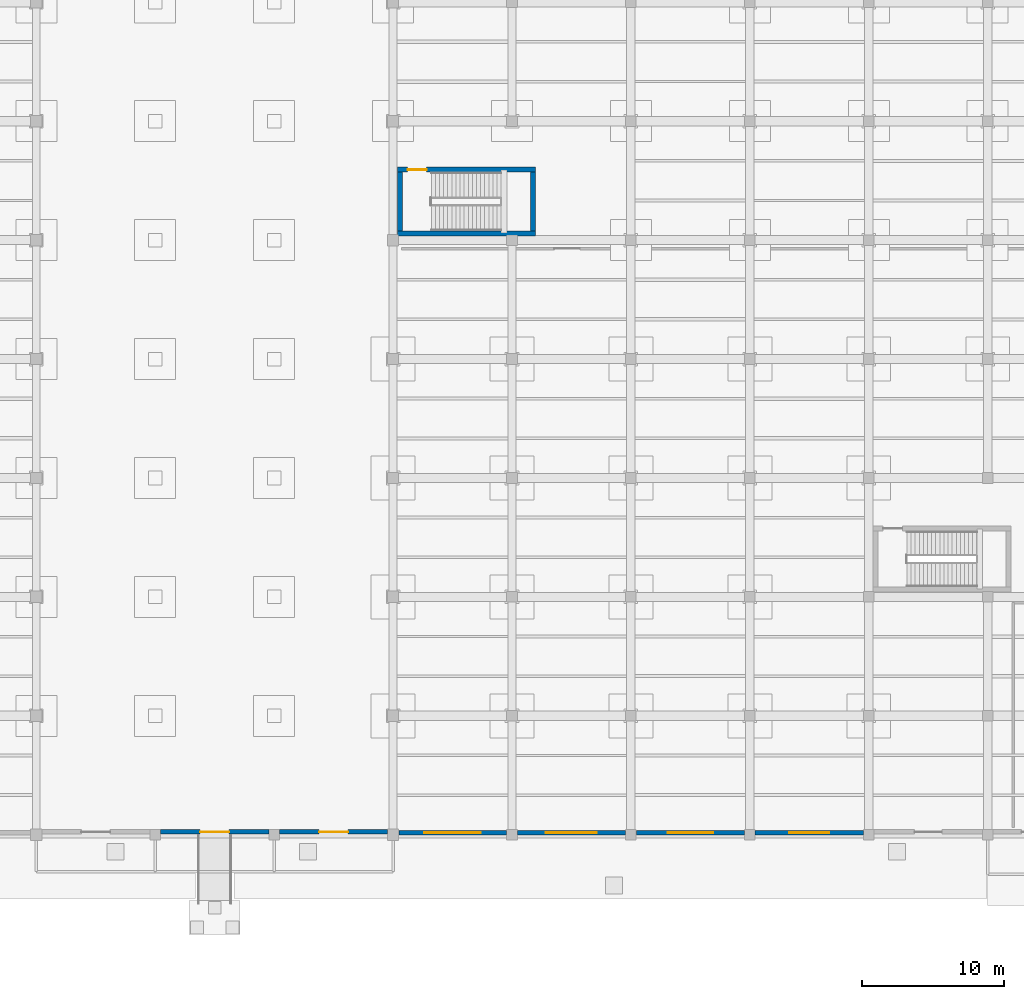
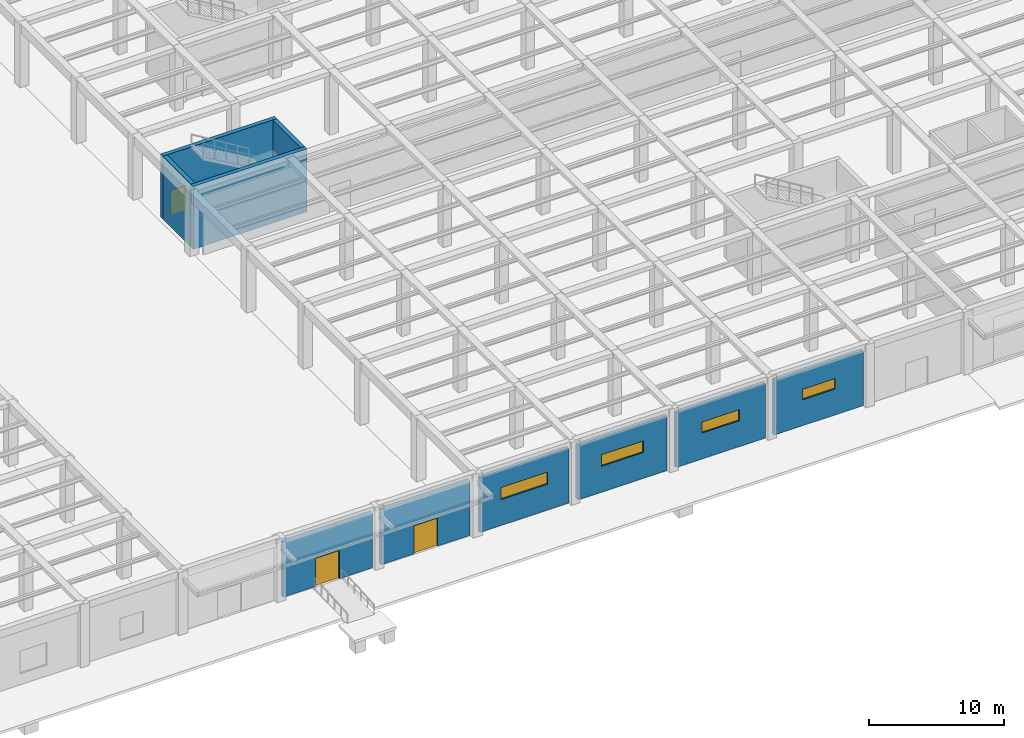
# One storey, part 24 of 43: 10 walls, 4 windows, 3 doors, 7 openings.
"""IFC4 building model written with IfcOpenShell, lengths in metres."""

import ifcopenshell
import ifcopenshell.guid

model = None  # the IFC model being written
_history = None  # IfcOwnerHistory: only IFC2X3 demands one
_inside = {}  # id of a spatial element -> (the spatial element, [elements in it])
_under = {}  # id of a project, library or spatial element -> (it, [spatial elements below it])
_declared = {}  # id of a project -> (the project, [libraries it declares])
_typed = {}  # id of a type object -> (the type object, [elements of that type])
_made_of = {}  # id of a material, layer set ... -> (it, [elements and type objects made of it])


def new_model(schema):
    """Start an empty IFC model of exactly this schema.

    Asked for "IFC4X3", IfcOpenShell would pick the latest addendum, in which some entities
    have other attributes; the version numbers below select the first issue.
    IFC2X3 requires an IfcOwnerHistory on every rooted entity: one is made here for all.
    """
    global model, _history
    if schema == "IFC4X3":
        model = ifcopenshell.file(schema_version=(4, 3, 0, 0))
    else:
        model = ifcopenshell.file(schema=schema)
    _inside.clear()
    _under.clear()
    _declared.clear()
    _typed.clear()
    _made_of.clear()
    _history = None
    if model.schema == "IFC2X3":
        org = make("IfcOrganization", Name="unknown")
        user = make(
            "IfcPersonAndOrganization",
            ThePerson=make("IfcPerson", FamilyName="unknown"),
            TheOrganization=org,
        )
        app = make(
            "IfcApplication",
            ApplicationDeveloper=org,
            Version="unknown",
            ApplicationFullName="unknown",
            ApplicationIdentifier="unknown",
        )
        _history = make(
            "IfcOwnerHistory",
            OwningUser=user,
            OwningApplication=app,
            ChangeAction="ADDED",
            CreationDate=0,
        )
    return model


def make(cls, **values):
    """One entity of the class cls with the attributes given. An attribute that is None is left unset."""
    return model.create_entity(
        cls, **{name: value for name, value in values.items() if value is not None}
    )


def rooted(cls, **values):
    """An entity with a GlobalId (a new one), such as an element, a storey or a relation."""
    return make(cls, GlobalId=ifcopenshell.guid.new(), OwnerHistory=_history, **values)


def si_unit(unit_type, name, prefix=None):
    """IfcSIUnit, for example si_unit("LENGTHUNIT", "METRE", prefix="MILLI")."""
    return make("IfcSIUnit", UnitType=unit_type, Prefix=prefix, Name=name)


def assignment(units):
    """IfcUnitAssignment: the units of a project."""
    return None if units is None else make("IfcUnitAssignment", Units=units)


def point(xyz):
    """IfcCartesianPoint."""
    return None if xyz is None else make("IfcCartesianPoint", Coordinates=xyz)


def direction(xyz):
    """IfcDirection."""
    return None if xyz is None else make("IfcDirection", DirectionRatios=xyz)


def frame(location, z_axis=None, x_axis=None):
    """IfcAxis2Placement3D, a coordinate frame: its origin and axes. An axis left out is left unset."""
    return make(
        "IfcAxis2Placement3D",
        Location=point(location),
        Axis=direction(z_axis),
        RefDirection=direction(x_axis),
    )


def frame_2d(location, x_axis=None):
    """IfcAxis2Placement2D, a coordinate frame in the plane: its origin and x axis."""
    return make(
        "IfcAxis2Placement2D", Location=point(location), RefDirection=direction(x_axis)
    )


def origin():
    """The frame at (0, 0, 0) with its axes left unset."""
    return frame((0.0, 0.0, 0.0))


def place(relative_to, where):
    """IfcLocalPlacement: puts the frame where relative to a parent placement (None: the world)."""
    return make(
        "IfcLocalPlacement", PlacementRelTo=relative_to, RelativePlacement=where
    )


def context(
    kind, dimensions, precision=None, world=None, true_north=None, identifier=None
):
    """IfcGeometricRepresentationContext, for example the 3D "Model" context."""
    return make(
        "IfcGeometricRepresentationContext",
        ContextIdentifier=identifier,
        ContextType=kind,
        CoordinateSpaceDimension=dimensions,
        Precision=precision,
        WorldCoordinateSystem=world,
        TrueNorth=true_north,
    )


def subcontext(parent, identifier, kind, view, scale=None):
    """IfcGeometricRepresentationSubContext, for example "Body" below "Model"."""
    return make(
        "IfcGeometricRepresentationSubContext",
        ContextIdentifier=identifier,
        ContextType=kind,
        ParentContext=parent,
        TargetScale=scale,
        TargetView=view,
    )


def project(units=None, contexts=None):
    """IfcProject with its units and contexts."""
    return rooted(
        "IfcProject",
        Name="project",
        RepresentationContexts=contexts,
        UnitsInContext=assignment(units),
    )


def spatial(cls, under=None, at=None, **own):
    """A site, building, storey or space (cls), placed at a placement, below another one or the project."""
    s = rooted(cls, ObjectPlacement=at, **own)
    if under is not None:
        _under.setdefault(under.id(), (under, []))[1].append(s)
    return s


def profile(cls, at=None, kind="AREA", **sizes):
    """A parametric profile (cls). Its sizes go by their IFC names, for example OverallWidth=200.0."""
    return make(cls, ProfileType=kind, Position=at, **sizes)


def rectangle(**sizes):
    """IfcRectangleProfileDef."""
    return profile("IfcRectangleProfileDef", **sizes)


def extrude(swept, where, along, depth):
    """IfcExtrudedAreaSolid: the profile swept, set in the frame where, extruded along a direction by depth."""
    return make(
        "IfcExtrudedAreaSolid",
        SweptArea=swept,
        Position=where,
        ExtrudedDirection=direction(along),
        Depth=depth,
    )


def shape(context_of_items, identifier, shape_type, items):
    """IfcShapeRepresentation: the items that make up one representation, for example the "Body"."""
    return make(
        "IfcShapeRepresentation",
        ContextOfItems=context_of_items,
        RepresentationIdentifier=identifier,
        RepresentationType=shape_type,
        Items=items,
    )


def material(Name=None, Category=None):
    """IfcMaterial."""
    return make("IfcMaterial", Name=Name, Category=Category)


def layer(
    of_material, thickness, ventilated=None, Name=None, Category=None, Priority=None
):
    """IfcMaterialLayer: one layer of a wall or slab, of a material (None: an air gap)."""
    return make(
        "IfcMaterialLayer",
        Material=of_material,
        LayerThickness=thickness,
        IsVentilated=ventilated,
        Name=Name,
        Category=Category,
        Priority=Priority,
    )


def layer_set(layers, Name=None):
    """IfcMaterialLayerSet."""
    return make("IfcMaterialLayerSet", MaterialLayers=layers, LayerSetName=Name)


def made_of(thing, what):
    """Note that an element or type object is made of a material, layer set ...; save() writes the relation."""
    if what is not None:
        _made_of.setdefault(what.id(), (what, []))[1].append(thing)
    return thing


def type_object(cls, material=None, **own):
    """A type object (cls), such as IfcWallType, which elements share."""
    return made_of(rooted(cls, **own), material)


def element(
    cls,
    number,
    at=None,
    inside=None,
    cuts=None,
    type_object=None,
    material=None,
    context=None,
    identifier="Body",
    shape_type=None,
    held_by="IfcProductDefinitionShape",
    body=None,
    shapes=None,
    **own,
):
    """One element of the class cls, such as IfcWall. Its Tag is "e" and its number.

    at: its placement. inside: the storey or other place that contains it. cuts: it is an
    opening in that element (IfcRelVoidsElement). A single representation is given by context,
    identifier, shape_type and body (its items); several are given by shapes. held_by: the class
    of the entity that holds the representations. save() writes the other relations.
    """
    e = rooted(cls, Tag="e%d" % number, ObjectPlacement=at, **own)
    if body is not None:
        shapes = [shape(context, identifier, shape_type, body)]
    if shapes is not None:
        e.Representation = make(held_by, Representations=shapes)
    if inside is not None:
        _inside.setdefault(inside.id(), (inside, []))[1].append(e)
    if cuts is not None:
        rooted(
            "IfcRelVoidsElement", RelatingBuildingElement=cuts, RelatedOpeningElement=e
        )
    if type_object is not None:
        _typed.setdefault(type_object.id(), (type_object, []))[1].append(e)
    return made_of(e, material)


def fill(opening, filler):
    """IfcRelFillsElement: the door or window that sits in an opening."""
    return rooted(
        "IfcRelFillsElement",
        RelatingOpeningElement=opening,
        RelatedBuildingElement=filler,
    )


def aggregate(whole, parts):
    """IfcRelAggregates: a whole, such as a stair, and the parts it consists of."""
    return rooted("IfcRelAggregates", RelatingObject=whole, RelatedObjects=parts)


def save(model, path):
    """Write the relations noted so far, then the file.

    IfcRelAggregates (storeys below a building ...), IfcRelContainedInSpatialStructure (elements
    in a storey), IfcRelDefinesByType, IfcRelAssociatesMaterial and IfcRelDeclares: one each for
    every whole, place, type object, material and project.
    """
    for whole, parts in _under.values():
        aggregate(whole, parts)
    for where, things in _inside.values():
        rooted(
            "IfcRelContainedInSpatialStructure",
            RelatedElements=things,
            RelatingStructure=where,
        )
    for kind, things in _typed.values():
        rooted("IfcRelDefinesByType", RelatedObjects=things, RelatingType=kind)
    for what, things in _made_of.values():
        rooted("IfcRelAssociatesMaterial", RelatedObjects=things, RelatingMaterial=what)
    for by, libraries in _declared.values():
        rooted("IfcRelDeclares", RelatingContext=by, RelatedDefinitions=libraries)
    model.write(path)


model = new_model("IFC4")

# Units and contexts
model_context = context("Model", 3, precision=1e-05, world=origin(), true_north=direction((0.0, 1.0)))
body_context = subcontext(model_context, "Body", "Model", "MODEL_VIEW")
ifc_project = project(units=[si_unit("LENGTHUNIT", "METRE"), si_unit("AREAUNIT", "SQUARE_METRE"), si_unit("VOLUMEUNIT", "CUBIC_METRE"), si_unit("PLANEANGLEUNIT", "RADIAN"), si_unit("MASSUNIT", "GRAM", prefix="KILO")], contexts=[model_context])

# Site, building, storey
site_placement = place(None, origin())
site = spatial("IfcSite", under=ifc_project, at=site_placement, CompositionType="ELEMENT")
building_placement = place(site_placement, origin())
building = spatial("IfcBuilding", under=site, at=building_placement, Name="Almacenes y Pasaje Nevantli", CompositionType="ELEMENT")
storey_placement = place(building_placement, origin())
storey = spatial("IfcBuildingStorey", under=building, at=storey_placement, Name="L01", CompositionType="ELEMENT", Elevation=0.0)

# Wall
ifc_material_1 = material(Name="Concrete C45/55", Category="concrete")
ifc_layer_1 = layer(ifc_material_1, 0.35009765625)
ifc_layer_set_1 = layer_set([ifc_layer_1], Name="Concrete C45/55")
wall_type_1 = type_object("IfcWallType", Name="WL-CORE-350", PredefinedType="SHEAR", material=ifc_layer_set_1)
wall_1_placement = place(storey_placement, frame((92.699951171875, 42.47509765625, 0.0), z_axis=(0.0, 0.0, 1.0), x_axis=(1.0, 0.0, 0.0)))
element("IfcWall", 1, at=wall_1_placement, inside=storey, type_object=wall_type_1, Name="L01 Exit Stair ST-08 South Core Shear Wall", PredefinedType="SHEAR", context=body_context, shape_type="SweptSolid", body=[
    extrude(rectangle(XDim=9.75, YDim=0.35009765625, at=frame_2d((4.875, 0.0))), origin(), (0.0, 0.0, 1.0), 5.699951171875),
])

# Wall, opening, door
wall_2_placement = place(storey_placement, frame((92.699951171875, 46.97509765625, 0.0), z_axis=(0.0, 0.0, 1.0), x_axis=(1.0, 0.0, 0.0)))
wall_2 = element("IfcWall", 2, at=wall_2_placement, inside=storey, type_object=wall_type_1, Name="L01 Exit Stair ST-08 North Core Shear Wall", PredefinedType="SHEAR", context=body_context, shape_type="SweptSolid", body=[
    extrude(rectangle(XDim=9.75, YDim=0.35009765625, at=frame_2d((4.875, 0.0))), origin(), (0.0, 0.0, 1.0), 5.699951171875),
])
opening_1_placement = place(wall_2_placement, frame((0.719970703125, 0.0, 0.0)))
opening_1 = element("IfcOpeningElement", 3, at=opening_1_placement, cuts=wall_2, Name="Opening SD-08-L01", PredefinedType="OPENING", context=body_context, shape_type="SweptSolid", body=[
    extrude(rectangle(XDim=1.35009765625, YDim=2.25, at=frame_2d((0.675048828125, 1.125))), frame((0.0, 0.18505859375, 0.0), z_axis=(0.0, -1.0, 0.0), x_axis=(1.0, 0.0, 0.0)), (0.0, 0.0, 1.0), 0.3701171875),
])
ifc_material_2 = material(Name="Galvanized Fire-Rated Steel", Category="steel")
door_type_1 = type_object("IfcDoorType", Name="DR-STAIR-1350R", OperationType="SINGLE_SWING_RIGHT", PredefinedType="DOOR", material=ifc_material_2)
door_1_placement = place(opening_1_placement, origin())
door_1 = element("IfcDoor", 4, at=door_1_placement, inside=storey, type_object=door_type_1, Name="L01 Smokeproof Exit Stair ST-08 Fire Door", OperationType="SINGLE_SWING_RIGHT", OverallHeight=2.25, OverallWidth=1.35009765625, PredefinedType="DOOR", context=body_context, shape_type="SweptSolid", body=[
    extrude(rectangle(XDim=1.35009765625, YDim=2.25, at=frame_2d((0.675048828125, 1.125))), frame((0.0, 0.02490234375, 0.0), z_axis=(0.0, -1.0, 0.0), x_axis=(1.0, 0.0, 0.0)), (0.0, 0.0, 1.0), 0.050048828125),
])
fill(opening_1, door_1)

# Walls
for number, where, z_axis, x_axis, name in (
    (5, (92.875, 42.64990234375, 0.0), (0.0, 0.0, 1.0), (0.0, 1.0, 0.0), "L01 Exit Stair ST-08 West Core Shear Wall"),
    (6, (102.27490234375, 42.64990234375, 0.0), (0.0, 0.0, 1.0), (0.0, 1.0, 0.0), "L01 Exit Stair ST-08 East Core Shear Wall"),
):
    element("IfcWall", number, at=place(storey_placement, frame(where, z_axis=z_axis, x_axis=x_axis)), inside=storey, type_object=wall_type_1, Name=name, PredefinedType="SHEAR", context=body_context, shape_type="SweptSolid", body=[
        extrude(rectangle(XDim=4.150146484375, YDim=0.35009765625, at=frame_2d((2.0751953125, 0.0))), origin(), (0.0, 0.0, 1.0), 5.699951171875),
    ])

# Wall, opening, door
ifc_material_3 = material(Name="Architectural Precast Concrete C35/45 Plinth Wall", Category="concrete")
ifc_layer_2 = layer(ifc_material_3, 0.31005859375)
ifc_layer_set_2 = layer_set([ifc_layer_2], Name="Architectural Precast Concrete C35/45 Plinth Wall")
wall_type_2 = type_object("IfcWallType", Name="WL-EXT-RECINTO-310", PredefinedType="SOLIDWALL", material=ifc_layer_set_2)
wall_3_placement = place(storey_placement, frame((75.97802734375, 0.199951171875, 0.0), z_axis=(0.0, 0.0, 1.0), x_axis=(1.0, 0.0, 0.0)))
wall_3 = element("IfcWall", 7, at=wall_3_placement, inside=storey, type_object=wall_type_2, Name="L01 South Arcade Portal Entrance Wall Bay 10", PredefinedType="SOLIDWALL", context=body_context, shape_type="SweptSolid", body=[
    extrude(rectangle(XDim=7.64404296875, YDim=0.31005859375, at=frame_2d((3.822021484375, 0.0))), origin(), (0.0, 0.0, 1.0), 4.97998046875),
])
opening_2_placement = place(wall_3_placement, frame((2.802001953125, 0.0, 0.0)))
opening_2 = element("IfcOpeningElement", 8, at=opening_2_placement, cuts=wall_3, Name="Opening ED-L01-023", PredefinedType="OPENING", context=body_context, shape_type="SweptSolid", body=[
    extrude(rectangle(XDim=2.0400390625, YDim=2.550048828125, at=frame_2d((1.02001953125, 1.27490234375))), frame((0.0, 0.1650390625, 0.0), z_axis=(0.0, -1.0, 0.0), x_axis=(1.0, 0.0, 0.0)), (0.0, 0.0, 1.0), 0.330078125),
])
ifc_material_4 = material(Name="Anodized Aluminium and Safety Glass", Category="aluminium")
door_type_2 = type_object("IfcDoorType", Name="DR-EXT-DBL-2040", OperationType="DOUBLE_DOOR_SINGLE_SWING", PredefinedType="DOOR", material=ifc_material_4)
door_2_placement = place(opening_2_placement, origin())
door_2 = element("IfcDoor", 9, at=door_2_placement, inside=storey, type_object=door_type_2, Name="L01 South Arcade Portal Entrance Door #2", OperationType="DOUBLE_DOOR_SINGLE_SWING", OverallHeight=2.550048828125, OverallWidth=2.0400390625, PredefinedType="DOOR", context=body_context, shape_type="SweptSolid", body=[
    extrude(rectangle(XDim=2.0400390625, YDim=2.550048828125, at=frame_2d((1.02001953125, 1.27490234375))), frame((0.0, 0.02490234375, 0.0), z_axis=(0.0, -1.0, 0.0), x_axis=(1.0, 0.0, 0.0)), (0.0, 0.0, 1.0), 0.050048828125),
])
fill(opening_2, door_2)

wall_4_placement = place(storey_placement, frame((84.3779296875, 0.199951171875, 0.0), z_axis=(0.0, 0.0, 1.0), x_axis=(1.0, 0.0, 0.0)))
wall_4 = element("IfcWall", 10, at=wall_4_placement, inside=storey, type_object=wall_type_2, Name="L01 South Arcade Portal Entrance Wall Bay 11", PredefinedType="SOLIDWALL", context=body_context, shape_type="SweptSolid", body=[
    extrude(rectangle(XDim=7.6201171875, YDim=0.31005859375, at=frame_2d((3.81005859375, 0.0))), origin(), (0.0, 0.0, 1.0), 4.97998046875),
])
opening_3_placement = place(wall_4_placement, frame((2.802001953125, 0.0, 0.0)))
opening_3 = element("IfcOpeningElement", 11, at=opening_3_placement, cuts=wall_4, Name="Opening ED-L01-024", PredefinedType="OPENING", context=body_context, shape_type="SweptSolid", body=[
    extrude(rectangle(XDim=2.0400390625, YDim=2.550048828125, at=frame_2d((1.02001953125, 1.27490234375))), frame((0.0, 0.1650390625, 0.0), z_axis=(0.0, -1.0, 0.0), x_axis=(1.0, 0.0, 0.0)), (0.0, 0.0, 1.0), 0.330078125),
])
door_3_placement = place(opening_3_placement, origin())
door_3 = element("IfcDoor", 12, at=door_3_placement, inside=storey, type_object=door_type_2, Name="L01 South Arcade Portal Entrance Door #3", OperationType="DOUBLE_DOOR_SINGLE_SWING", OverallHeight=2.550048828125, OverallWidth=2.0400390625, PredefinedType="DOOR", context=body_context, shape_type="SweptSolid", body=[
    extrude(rectangle(XDim=2.0400390625, YDim=2.550048828125, at=frame_2d((1.02001953125, 1.27490234375))), frame((0.0, 0.02490234375, 0.0), z_axis=(0.0, -1.0, 0.0), x_axis=(1.0, 0.0, 0.0)), (0.0, 0.0, 1.0), 0.050048828125),
])
fill(opening_3, door_3)

# Wall, opening, window
wall_5_placement = place(storey_placement, frame((92.803955078125, 0.14990234375, 0.0), z_axis=(0.0, 0.0, 1.0), x_axis=(1.0, 0.0, 0.0)))
wall_5 = element("IfcWall", 13, at=wall_5_placement, inside=storey, type_object=wall_type_2, Name="L01 South Stockroom Clerestory Wall Bay 12", PredefinedType="SOLIDWALL", context=body_context, shape_type="SweptSolid", body=[
    extrude(rectangle(XDim=7.6181640625, YDim=0.31005859375, at=frame_2d((3.80908203125, 0.0))), origin(), (0.0, 0.0, 1.0), 4.97998046875),
])
opening_4_placement = place(wall_5_placement, frame((1.7958984375, 0.0, 2.35009765625)))
opening_4 = element("IfcOpeningElement", 14, at=opening_4_placement, cuts=wall_5, Name="Opening WT-21-022", PredefinedType="OPENING", context=body_context, shape_type="SweptSolid", body=[
    extrude(rectangle(XDim=4.0, YDim=1.10009765625, at=frame_2d((2.0, 0.550048828125))), frame((0.0, 0.1650390625, 0.0), z_axis=(0.0, -1.0, 0.0), x_axis=(1.0, 0.0, 0.0)), (0.0, 0.0, 1.0), 0.330078125),
])
ifc_material_5 = material(Name="Thermally Broken Aluminium and Low-E Double Glazing", Category="aluminium")
window_type_1 = type_object("IfcWindowType", Name="WN-CLR-4000x1100", PartitioningType="SINGLE_PANEL", PredefinedType="WINDOW", material=ifc_material_5)
window_1_placement = place(opening_4_placement, origin())
window_1 = element("IfcWindow", 15, at=window_1_placement, inside=storey, type_object=window_type_1, Name="L01 Exterior Window WT-21 #22", OverallHeight=1.10009765625, OverallWidth=4.0, PartitioningType="SINGLE_PANEL", PredefinedType="WINDOW", context=body_context, shape_type="SweptSolid", body=[
    extrude(rectangle(XDim=4.0, YDim=1.10009765625, at=frame_2d((2.0, 0.550048828125))), frame((0.0, 0.030029296875, 0.0), z_axis=(0.0, -1.0, 0.0), x_axis=(1.0, 0.0, 0.0)), (0.0, 0.0, 1.0), 0.06005859375),
])
fill(opening_4, window_1)

wall_6_placement = place(storey_placement, frame((101.177978515625, 0.14990234375, 0.0), z_axis=(0.0, 0.0, 1.0), x_axis=(1.0, 0.0, 0.0)))
wall_6 = element("IfcWall", 16, at=wall_6_placement, inside=storey, type_object=wall_type_2, Name="L01 South Stockroom Clerestory Wall Bay 13", PredefinedType="SOLIDWALL", context=body_context, shape_type="SweptSolid", body=[
    extrude(rectangle(XDim=7.64404296875, YDim=0.31005859375, at=frame_2d((3.822021484375, 0.0))), origin(), (0.0, 0.0, 1.0), 4.97998046875),
])
opening_5_placement = place(wall_6_placement, frame((2.02197265625, 0.0, 2.35009765625)))
opening_5 = element("IfcOpeningElement", 17, at=opening_5_placement, cuts=wall_6, Name="Opening WT-22-023", PredefinedType="OPENING", context=body_context, shape_type="SweptSolid", body=[
    extrude(rectangle(XDim=3.60009765625, YDim=1.050048828125, at=frame_2d((1.800048828125, 0.52490234375))), frame((0.0, 0.1650390625, 0.0), z_axis=(0.0, -1.0, 0.0), x_axis=(1.0, 0.0, 0.0)), (0.0, 0.0, 1.0), 0.330078125),
])
ifc_material_6 = material(Name="Thermally Broken Aluminium and Low-E Double Glazing", Category="aluminium")
window_type_2 = type_object("IfcWindowType", Name="WN-CLR-3600x1050", PartitioningType="SINGLE_PANEL", PredefinedType="WINDOW", material=ifc_material_6)
window_2_placement = place(opening_5_placement, origin())
window_2 = element("IfcWindow", 18, at=window_2_placement, inside=storey, type_object=window_type_2, Name="L01 Exterior Window WT-22 #23", OverallHeight=1.050048828125, OverallWidth=3.60009765625, PartitioningType="SINGLE_PANEL", PredefinedType="WINDOW", context=body_context, shape_type="SweptSolid", body=[
    extrude(rectangle(XDim=3.60009765625, YDim=1.050048828125, at=frame_2d((1.800048828125, 0.52490234375))), frame((0.0, 0.030029296875, 0.0), z_axis=(0.0, -1.0, 0.0), x_axis=(1.0, 0.0, 0.0)), (0.0, 0.0, 1.0), 0.06005859375),
])
fill(opening_5, window_2)

wall_7_placement = place(storey_placement, frame((109.577880859375, 0.14990234375, 0.0), z_axis=(0.0, 0.0, 1.0), x_axis=(1.0, 0.0, 0.0)))
wall_7 = element("IfcWall", 19, at=wall_7_placement, inside=storey, type_object=wall_type_2, Name="L01 South Stockroom Clerestory Wall Bay 14", PredefinedType="SOLIDWALL", context=body_context, shape_type="SweptSolid", body=[
    extrude(rectangle(XDim=7.64404296875, YDim=0.31005859375, at=frame_2d((3.822021484375, 0.0))), origin(), (0.0, 0.0, 1.0), 4.97998046875),
])
opening_6_placement = place(wall_7_placement, frame((2.221923828125, 0.0, 2.35009765625)))
opening_6 = element("IfcOpeningElement", 20, at=opening_6_placement, cuts=wall_7, Name="Opening WT-23-024", PredefinedType="OPENING", context=body_context, shape_type="SweptSolid", body=[
    extrude(rectangle(XDim=3.199951171875, YDim=1.0, at=frame_2d((1.60009765625, 0.5))), frame((0.0, 0.1650390625, 0.0), z_axis=(0.0, -1.0, 0.0), x_axis=(1.0, 0.0, 0.0)), (0.0, 0.0, 1.0), 0.330078125),
])
ifc_material_7 = material(Name="Thermally Broken Aluminium and Low-E Double Glazing", Category="aluminium")
window_type_3 = type_object("IfcWindowType", Name="WN-CLR-3200x1000", PartitioningType="SINGLE_PANEL", PredefinedType="WINDOW", material=ifc_material_7)
window_3_placement = place(opening_6_placement, origin())
window_3 = element("IfcWindow", 21, at=window_3_placement, inside=storey, type_object=window_type_3, Name="L01 Exterior Window WT-23 #24", OverallHeight=1.0, OverallWidth=3.199951171875, PartitioningType="SINGLE_PANEL", PredefinedType="WINDOW", context=body_context, shape_type="SweptSolid", body=[
    extrude(rectangle(XDim=3.199951171875, YDim=1.0, at=frame_2d((1.60009765625, 0.5))), frame((0.0, 0.030029296875, 0.0), z_axis=(0.0, -1.0, 0.0), x_axis=(1.0, 0.0, 0.0)), (0.0, 0.0, 1.0), 0.06005859375),
])
fill(opening_6, window_3)

wall_8_placement = place(storey_placement, frame((117.97802734375, 0.14990234375, 0.0), z_axis=(0.0, 0.0, 1.0), x_axis=(1.0, 0.0, 0.0)))
wall_8 = element("IfcWall", 22, at=wall_8_placement, inside=storey, type_object=wall_type_2, Name="L01 South Stockroom Clerestory Wall Bay 15", PredefinedType="SOLIDWALL", context=body_context, shape_type="SweptSolid", body=[
    extrude(rectangle(XDim=7.64404296875, YDim=0.31005859375, at=frame_2d((3.822021484375, 0.0))), origin(), (0.0, 0.0, 1.0), 4.97998046875),
])
opening_7_placement = place(wall_8_placement, frame((2.422119140625, 0.0, 2.35009765625)))
opening_7 = element("IfcOpeningElement", 23, at=opening_7_placement, cuts=wall_8, Name="Opening WT-24-025", PredefinedType="OPENING", context=body_context, shape_type="SweptSolid", body=[
    extrude(rectangle(XDim=2.800048828125, YDim=0.949951171875, at=frame_2d((1.39990234375, 0.47509765625))), frame((0.0, 0.1650390625, 0.0), z_axis=(0.0, -1.0, 0.0), x_axis=(1.0, 0.0, 0.0)), (0.0, 0.0, 1.0), 0.330078125),
])
ifc_material_8 = material(Name="Thermally Broken Aluminium and Low-E Double Glazing", Category="aluminium")
window_type_4 = type_object("IfcWindowType", Name="WN-CLR-2800x0950", PartitioningType="SINGLE_PANEL", PredefinedType="WINDOW", material=ifc_material_8)
window_4_placement = place(opening_7_placement, origin())
window_4 = element("IfcWindow", 24, at=window_4_placement, inside=storey, type_object=window_type_4, Name="L01 Exterior Window WT-24 #25", OverallHeight=0.949951171875, OverallWidth=2.800048828125, PartitioningType="SINGLE_PANEL", PredefinedType="WINDOW", context=body_context, shape_type="SweptSolid", body=[
    extrude(rectangle(XDim=2.800048828125, YDim=0.949951171875, at=frame_2d((1.39990234375, 0.47509765625))), frame((0.0, 0.030029296875, 0.0), z_axis=(0.0, -1.0, 0.0), x_axis=(1.0, 0.0, 0.0)), (0.0, 0.0, 1.0), 0.06005859375),
])
fill(opening_7, window_4)

save(model, "model.ifc")
